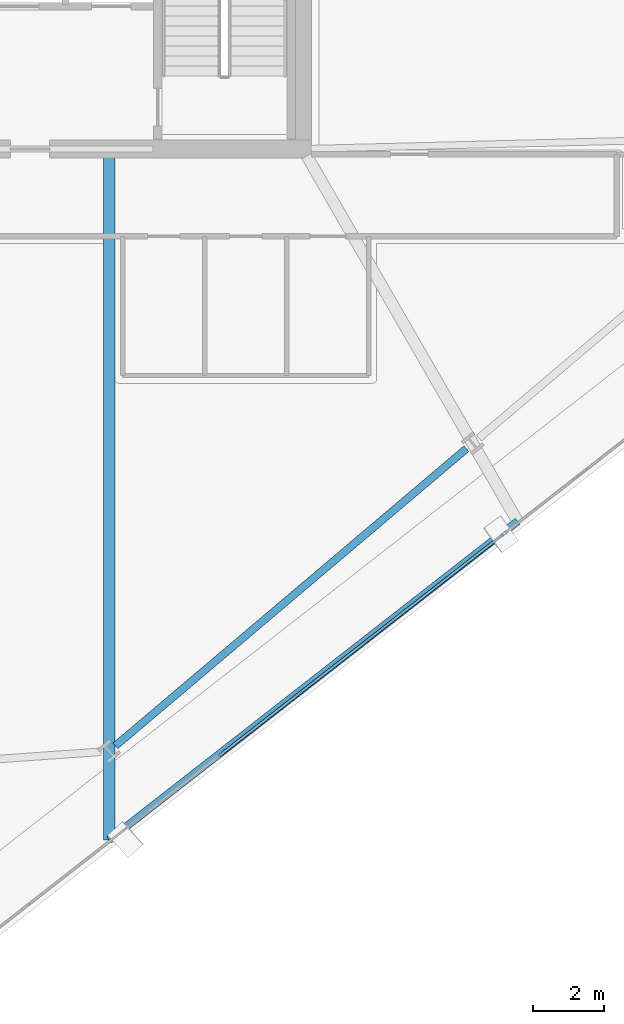
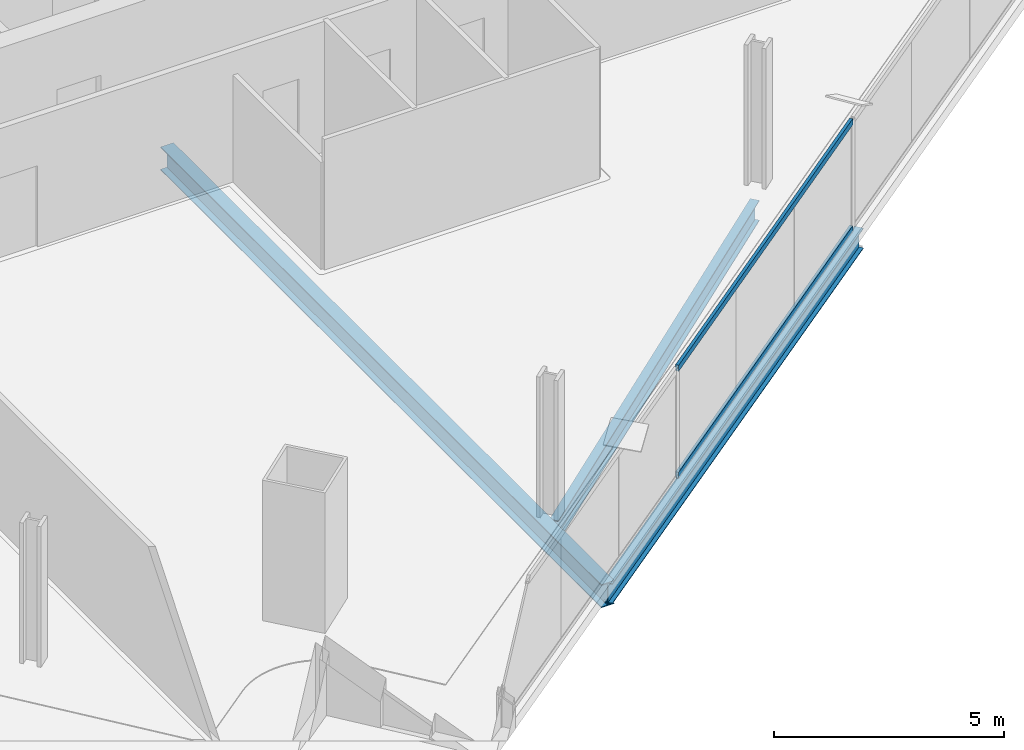
# One storey, part 7 of 32: 3 beams, 2 members, 1 element without a shape of its own.
"""IFC4 building model written with IfcOpenShell, lengths in metres."""

from ifc_helpers import new_model, si_unit, direction, frame, origin, origin_2d, place, context, subcontext, project, spatial, hollow_rectangle, i_section, extrude, material, material_profile, profile_set, type_object, element, aggregate, save


model = new_model("IFC4")

# Units and contexts
model_context = context("Model", 3, precision=1e-05, world=origin(), true_north=direction((0.0, 1.0)))
body_context = subcontext(model_context, "Body", "Model", "MODEL_VIEW")
ifc_project = project(units=[si_unit("LENGTHUNIT", "METRE"), si_unit("AREAUNIT", "SQUARE_METRE"), si_unit("VOLUMEUNIT", "CUBIC_METRE"), si_unit("PLANEANGLEUNIT", "RADIAN"), si_unit("MASSUNIT", "GRAM", prefix="KILO")], contexts=[model_context])

# Site, building, storey
site_placement = place(None, origin())
site = spatial("IfcSite", under=ifc_project, at=site_placement, CompositionType="ELEMENT")
building_placement = place(site_placement, origin())
building = spatial("IfcBuilding", under=site, at=building_placement, Name="Haldenkirk Collegiate Tower", CompositionType="ELEMENT")
storey_placement = place(building_placement, frame((0.0, 0.0, 155.699951171875)))
storey = spatial("IfcBuildingStorey", under=building, at=storey_placement, Name="L38", CompositionType="ELEMENT", Elevation=155.699951171875)

# Beams
ifc_material_1 = material(Name="Steel ASTM A992 Grade 50", Category="steel")
ifc_material_profile_1 = material_profile(ifc_material_1, i_section(OverallWidth=0.324951171875, OverallDepth=0.615966796875, WebThickness=0.013916015625, FlangeThickness=0.021484375, at=origin_2d()), Name="W24X117")
ifc_profile_set_1 = profile_set([ifc_material_profile_1], Name="Steel ASTM A992 Grade 50")
beam_type_1 = type_object("IfcBeamType", Name="BM-GIRDER-W24X117", PredefinedType="BEAM", material=ifc_profile_set_1)
beam_1_placement = place(storey_placement, frame((39.568603515625, -1.37353515625, -0.597900390625), z_axis=(0.0, 1.0, 0.0), x_axis=(-1.0, 0.0, 0.0)))
element("IfcBeam", 1, at=beam_1_placement, inside=storey, type_object=beam_type_1, Name="L38 primary floor girder 05", PredefinedType="BEAM", context=body_context, shape_type="SweptSolid", body=[
    extrude(i_section(OverallWidth=0.324951171875, OverallDepth=0.615966796875, WebThickness=0.013916015625, FlangeThickness=0.021484375, at=origin_2d()), origin(), (0.0, 0.0, 1.0), 19.1435546875),
])
ifc_material_profile_2 = material_profile(ifc_material_1, i_section(OverallWidth=0.2119140625, OverallDepth=0.5439453125, WebThickness=0.01318359375, FlangeThickness=0.021240234375, at=origin_2d()), Name="W21X83")
ifc_profile_set_2 = profile_set([ifc_material_profile_2], Name="Steel ASTM A992 Grade 50")
beam_type_2 = type_object("IfcBeamType", Name="BM-SPANDREL-W21X83", PredefinedType="SPANDREL", material=ifc_profile_set_2)
beam_2_placement = place(storey_placement, frame((39.743408203125, 1.261474609375, -0.56201171875), z_axis=(0.763233335078, 0.646122957514, 0.0), x_axis=(-0.646122957514, 0.763233335078, 0.0)))
element("IfcBeam", 2, at=beam_2_placement, inside=storey, type_object=beam_type_2, Name="L38 perimeter spandrel beam 02", PredefinedType="SPANDREL", context=body_context, shape_type="SweptSolid", body=[
    extrude(i_section(OverallWidth=0.2119140625, OverallDepth=0.5439453125, WebThickness=0.01318359375, FlangeThickness=0.021240234375, at=origin_2d()), origin(), (0.0, 0.0, 1.0), 12.898193359375),
])
beam_3_placement = place(storey_placement, frame((39.568603515625, -1.37353515625, -0.56201171875), z_axis=(0.788550559369, 0.614969930418, 0.0), x_axis=(-0.614969930418, 0.788550559369, 0.0)))
element("IfcBeam", 3, at=beam_3_placement, inside=storey, type_object=beam_type_2, Name="L38 outer facade edge beam 1", PredefinedType="SPANDREL", context=body_context, shape_type="SweptSolid", body=[
    extrude(i_section(OverallWidth=0.2119140625, OverallDepth=0.5439453125, WebThickness=0.01318359375, FlangeThickness=0.021240234375, at=origin_2d()), origin(), (0.0, 0.0, 1.0), 14.52490234375),
])

# Curtain wall, members
ifc_material_2 = material(Name="Anodised architectural bronze aluminium", Category="aluminium")
curtain_wall_type = type_object("IfcCurtainWallType", Name="CW-SYS2-CONCAVE", PredefinedType="USERDEFINED", material=ifc_material_2)
curtain_wall_placement = place(storey_placement, origin())
curtain_wall = element("IfcCurtainWall", 4, at=curtain_wall_placement, inside=storey, type_object=curtain_wall_type, Name="L38 South concave recessed bronze-anodised curtain wall", ObjectType="UNITISED CURTAIN WALL", PredefinedType="USERDEFINED")
ifc_material_profile_3 = material_profile(ifc_material_2, hollow_rectangle(XDim=0.074951171875, YDim=0.159912109375, WallThickness=0.0048828125, at=origin_2d()), Name="CW-TRN-02")
ifc_profile_set_3 = profile_set([ifc_material_profile_3], Name="Anodised architectural bronze aluminium")
member_type = type_object("IfcMemberType", Name="CW-TRN-02", PredefinedType="USERDEFINED", material=ifc_profile_set_3)
member_1_placement = place(storey_placement, frame((50.619140625, 7.193603515625, 0.03759765625), z_axis=(-0.788549075253, -0.614971833434, 0.0), x_axis=(0.614971833434, -0.788549075253, 0.0)))
member_1 = element("IfcMember", 5, at=member_1_placement, type_object=member_type, Name="CW-02 transom 3.1", ObjectType="TRANSOM", PredefinedType="USERDEFINED", context=body_context, shape_type="SweptSolid", body=[
    extrude(hollow_rectangle(XDim=0.074951171875, YDim=0.159912109375, WallThickness=0.0048828125, at=origin_2d()), origin(), (0.0, 0.0, 1.0), 10.074951171875),
])
member_2_placement = place(storey_placement, frame((50.619140625, 7.193603515625, 2.87353515625), z_axis=(-0.788549075253, -0.614971833434, 0.0), x_axis=(0.614971833434, -0.788549075253, 0.0)))
member_2 = element("IfcMember", 6, at=member_2_placement, type_object=member_type, Name="CW-02 transom 3.2", ObjectType="TRANSOM", PredefinedType="USERDEFINED", context=body_context, shape_type="SweptSolid", body=[
    extrude(hollow_rectangle(XDim=0.074951171875, YDim=0.159912109375, WallThickness=0.0048828125, at=origin_2d()), origin(), (0.0, 0.0, 1.0), 10.074951171875),
])
aggregate(curtain_wall, [member_1, member_2])

save(model, "model.ifc")
